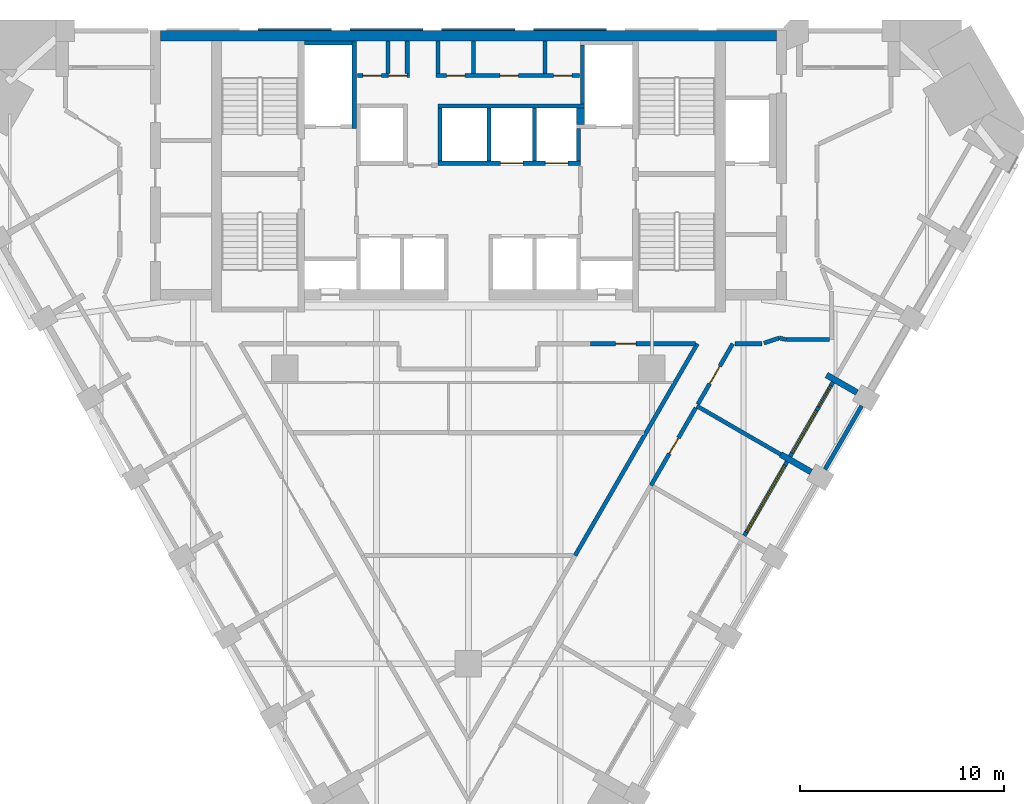
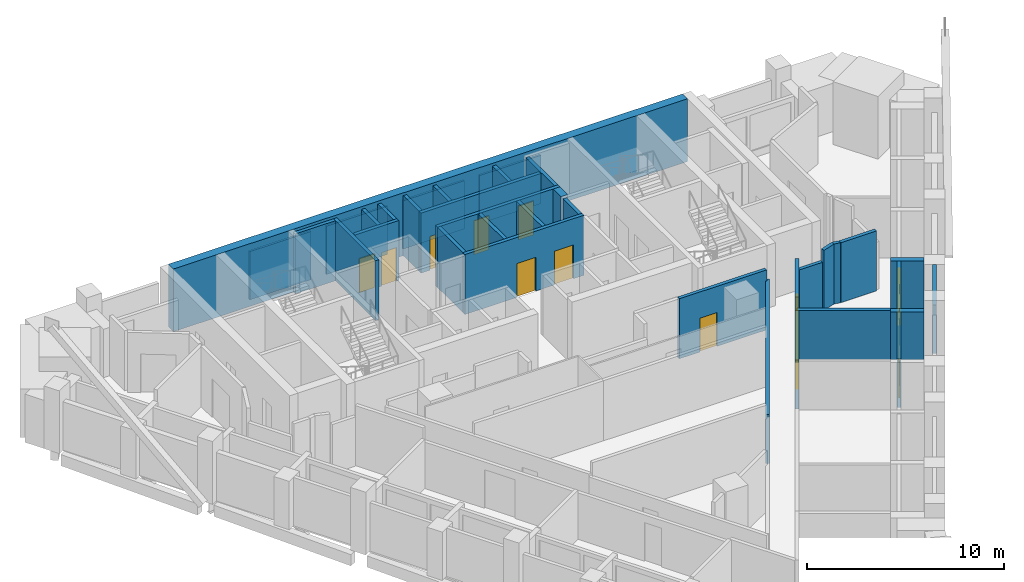
# One storey, part 6 of 9: 36 walls, 11 doors, 2 windows, 13 openings.
"""IFC4 building model written with IfcOpenShell, lengths in metres."""

from ifc_helpers import new_model, si_unit, direction, frame, frame_2d, origin, place, context, subcontext, project, spatial, polyline, rectangle, outline, extrude, material, layer, layer_set, type_object, element, fill, save


model = new_model("IFC4")

# Units and contexts
model_context = context("Model", 3, precision=1e-05, world=origin(), true_north=direction((0.0, 1.0)))
body_context = subcontext(model_context, "Body", "Model", "MODEL_VIEW")
ifc_project = project(units=[si_unit("LENGTHUNIT", "METRE"), si_unit("AREAUNIT", "SQUARE_METRE"), si_unit("VOLUMEUNIT", "CUBIC_METRE"), si_unit("PLANEANGLEUNIT", "RADIAN"), si_unit("MASSUNIT", "GRAM", prefix="KILO")], contexts=[model_context])

# Site, building, storey
site_placement = place(None, origin())
site = spatial("IfcSite", under=ifc_project, at=site_placement, CompositionType="ELEMENT")
building_placement = place(site_placement, origin())
building = spatial("IfcBuilding", under=site, at=building_placement, Name="Calabash Gate Tower", CompositionType="ELEMENT")
storey_placement = place(building_placement, frame((0.0, 0.0, 168.0)))
storey = spatial("IfcBuildingStorey", under=building, at=storey_placement, Name="L39", CompositionType="ELEMENT", Elevation=168.0)

# Walls
ifc_material_1 = material(Name="Terracotta brick masonry, exposed face", Category="masonry")
ifc_layer_1 = layer(ifc_material_1, 0.300048828125)
ifc_layer_set_1 = layer_set([ifc_layer_1], Name="Brick loggia cheek wall 300")
wall_type_1 = type_object("IfcWallType", Name="Brick loggia cheek wall 300", PredefinedType="SOLIDWALL", material=ifc_layer_set_1)
wall_1_placement = place(storey_placement, frame((16.807373046875, -2.59228515625, 0.0), z_axis=(0.0, 0.0, 1.0), x_axis=(-0.865994550583, 0.500053435504, 0.0)))
element("IfcWall", 1, at=wall_1_placement, inside=storey, type_object=wall_type_1, Name="Loggia cheek S11 SE4.4", PredefinedType="SOLIDWALL", context=body_context, shape_type="SweptSolid", body=[
    extrude(rectangle(XDim=1.723876953125, YDim=0.300048828125, at=frame_2d((0.86181640625, 0.0))), origin(), (0.0, 0.0, 1.0), 3.0),
])
wall_2_placement = place(storey_placement, frame((19.058349609375, 1.30419921875, 0.0), z_axis=(0.0, 0.0, 1.0), x_axis=(-0.866013532718, 0.500020560727, 0.0)))
element("IfcWall", 2, at=wall_2_placement, inside=storey, type_object=wall_type_1, Name="Loggia cheek S11 SE4.5", PredefinedType="SOLIDWALL", context=body_context, shape_type="SweptSolid", body=[
    extrude(rectangle(XDim=1.72509765625, YDim=0.300048828125, at=frame_2d((0.862548828125, 0.0))), origin(), (0.0, 0.0, 1.0), 3.0),
])
ifc_material_2 = material(Name="Gypsum board on steel studs, mineral wool", Category="steel")
ifc_layer_2 = layer(ifc_material_2, 0.199951171875)
ifc_layer_set_2 = layer_set([ifc_layer_2], Name="Core partition 200 gypsum board")
wall_type_2 = type_object("IfcWallType", Name="Core partition 200 gypsum board", PredefinedType="PARTITIONING", material=ifc_layer_set_2)
for number, where, z_axis, x_axis, name in (
    (3, (-3.949951171875, 16.95263671875, 0.0), (0.0, 0.0, 1.0), (0.0, 1.0, 0.0), "Core partition"),
    (4, (-3.0, 16.95263671875, 0.0), (0.0, 0.0, 1.0), (0.0, 1.0, 0.0), "Core partition"),
    (5, (-1.5, 16.95263671875, 0.0), (0.0, 0.0, 1.0), (0.0, 1.0, 0.0), "Core partition"),
    (6, (0.25, 16.95263671875, 0.0), (0.0, 0.0, 1.0), (0.0, 1.0, 0.0), "Core partition"),
    (7, (3.75, 16.95263671875, 0.0), (0.0, 0.0, 1.0), (0.0, 1.0, 0.0), "Core partition"),
):
    element("IfcWall", number, at=place(storey_placement, frame(where, z_axis=z_axis, x_axis=x_axis)), inside=storey, type_object=wall_type_2, Name=name, PredefinedType="PARTITIONING", context=body_context, shape_type="SweptSolid", body=[
        extrude(rectangle(XDim=1.599853515625, YDim=0.199951171875, at=frame_2d((0.7998046875, 0.0))), origin(), (0.0, 0.0, 1.0), 3.72998046875),
    ])
ifc_material_3 = material(Name="Concrete C70/85", Category="concrete")
ifc_layer_3 = layer(ifc_material_3, 0.5)
ifc_layer_set_3 = layer_set([ifc_layer_3], Name="Core wall 500 Concrete C70/85")
wall_type_3 = type_object("IfcWallType", Name="Core wall 500 Concrete C70/85", PredefinedType="SHEAR", material=ifc_layer_set_3)
wall_3_placement = place(storey_placement, frame((-15.10009765625, 18.802490234375, 0.0), z_axis=(0.0, 0.0, 1.0), x_axis=(1.0, 0.0, 0.0)))
element("IfcWall", 8, at=wall_3_placement, inside=storey, type_object=wall_type_3, Name="Core wall Z3-N L39", PredefinedType="SHEAR", context=body_context, shape_type="SweptSolid", body=[
    extrude(rectangle(XDim=30.2001953125, YDim=0.5, at=frame_2d((15.10009765625, 0.0))), origin(), (0.0, 0.0, 1.0), 3.89990234375),
])
ifc_material_4 = material(Name="Gypsum board on steel studs, mineral wool", Category="steel")
ifc_layer_4 = layer(ifc_material_4, 0.199951171875)
ifc_layer_set_4 = layer_set([ifc_layer_4], Name="Partition 200 gypsum board EI 60")
wall_type_4 = type_object("IfcWallType", Name="Partition 200 gypsum board EI 60", PredefinedType="PARTITIONING", material=ifc_layer_set_4)
wall_4_placement = place(storey_placement, frame((5.232666015625, -6.6884765625, 0.0), z_axis=(0.0, 0.0, 1.0), x_axis=(0.499991401208, 0.866030368243, 0.0)))
element("IfcWall", 9, at=wall_4_placement, inside=storey, type_object=wall_type_4, Name="Partition", PredefinedType="PARTITIONING", context=body_context, shape_type="SweptSolid", body=[
    extrude(rectangle(XDim=11.996337890625, YDim=0.199951171875, at=frame_2d((5.998046875, 0.0))), origin(), (0.0, 0.0, 1.0), 3.052001953125),
])

# Wall, opening, door
wall_5_placement = place(storey_placement, frame((8.95361328125, -3.251708984375, 0.0), z_axis=(0.0, 0.0, 1.0), x_axis=(0.499989943423, 0.866031209874, 0.0)))
wall_5 = element("IfcWall", 10, at=wall_5_placement, inside=storey, type_object=wall_type_4, Name="Partition", PredefinedType="PARTITIONING", context=body_context, shape_type="SweptSolid", body=[
    extrude(rectangle(XDim=4.39794921875, YDim=0.199951171875, at=frame_2d((2.198974609375, 0.0))), origin(), (0.0, 0.0, 1.0), 3.052001953125),
])
opening_1_placement = place(wall_5_placement, frame((1.798095703125, 0.0, 0.0)))
opening_1 = element("IfcOpeningElement", 11, at=opening_1_placement, cuts=wall_5, Name="Opening 39-41-005", PredefinedType="OPENING", context=body_context, shape_type="SweptSolid", body=[
    extrude(rectangle(XDim=0.89990234375, YDim=2.10009765625, at=frame_2d((0.449951171875, 1.050048828125))), frame((0.0, 0.10986328125, 0.0), z_axis=(0.0, -1.0, 0.0), x_axis=(1.0, 0.0, 0.0)), (0.0, 0.0, 1.0), 0.219970703125),
])
ifc_material_5 = material(Name="Steel fire door set with fire-resisting glazing", Category="steel")
door_type_1 = type_object("IfcDoorType", Name="SD3 Store door 900x2100", OperationType="NOTDEFINED", PredefinedType="DOOR", material=ifc_material_5)
door_1_placement = place(opening_1_placement, origin())
door_1 = element("IfcDoor", 12, at=door_1_placement, inside=storey, type_object=door_type_1, Name="Store door", OperationType="SINGLE_SWING_LEFT", OverallHeight=2.10009765625, OverallWidth=0.89990234375, PredefinedType="DOOR", context=body_context, shape_type="SweptSolid", body=[
    extrude(rectangle(XDim=0.89990234375, YDim=2.10009765625, at=frame_2d((0.449951171875, 1.050048828125))), frame((0.0, 0.02490234375, 0.0), z_axis=(0.0, -1.0, 0.0), x_axis=(1.0, 0.0, 0.0)), (0.0, 0.0, 1.0), 0.050048828125),
])
fill(opening_1, door_1)

# Wall
wall_6_placement = place(storey_placement, frame((11.2021484375, 0.646240234375, 0.0), z_axis=(0.0, 0.0, 1.0), x_axis=(0.865857651242, -0.500290443428, 0.0)))
element("IfcWall", 13, at=wall_6_placement, inside=storey, type_object=wall_type_4, Name="Partition", PredefinedType="PARTITIONING", context=body_context, shape_type="SweptSolid", body=[
    extrude(rectangle(XDim=4.749755859375, YDim=0.199951171875, at=frame_2d((2.375, 0.0))), origin(), (0.0, 0.0, 1.0), 3.052001953125),
])

# Wall, opening, door
wall_7_placement = place(storey_placement, frame((5.99365234375, 3.699951171875, 0.0), z_axis=(0.0, 0.0, 1.0), x_axis=(0.999999998871, -4.7510452e-05, 0.0)))
wall_7 = element("IfcWall", 14, at=wall_7_placement, inside=storey, type_object=wall_type_4, Name="Partition", PredefinedType="PARTITIONING", context=body_context, shape_type="SweptSolid", body=[
    extrude(rectangle(XDim=5.138671875, YDim=0.199951171875, at=frame_2d((2.5693359375, 0.0))), origin(), (0.0, 0.0, 1.0), 3.72998046875),
])
opening_2_placement = place(wall_7_placement, frame((1.222412109375, 0.0, 0.0)))
opening_2 = element("IfcOpeningElement", 15, at=opening_2_placement, cuts=wall_7, Name="Opening 39-41-014", PredefinedType="OPENING", context=body_context, shape_type="SweptSolid", body=[
    extrude(rectangle(XDim=1.0, YDim=2.10009765625, at=frame_2d((0.5, 1.050048828125))), frame((0.0, 0.10986328125, 0.0), z_axis=(0.0, -1.0, 0.0), x_axis=(1.0, 0.0, 0.0)), (0.0, 0.0, 1.0), 0.219970703125),
])
ifc_material_6 = material(Name="Steel fire door set with fire-resisting glazing", Category="steel")
door_type_2 = type_object("IfcDoorType", Name="WD3 WC lobby door 1000x2100", OperationType="NOTDEFINED", PredefinedType="DOOR", material=ifc_material_6)
door_2_placement = place(opening_2_placement, origin())
door_2 = element("IfcDoor", 16, at=door_2_placement, inside=storey, type_object=door_type_2, Name="WC lobby door", OperationType="SINGLE_SWING_RIGHT", OverallHeight=2.10009765625, OverallWidth=1.0, PredefinedType="DOOR", context=body_context, shape_type="SweptSolid", body=[
    extrude(rectangle(XDim=1.0, YDim=2.10009765625, at=frame_2d((0.5, 1.050048828125))), frame((0.0, 0.02490234375, 0.0), z_axis=(0.0, -1.0, 0.0), x_axis=(1.0, 0.0, 0.0)), (0.0, 0.0, 1.0), 0.050048828125),
])
fill(opening_2, door_2)

wall_8_placement = place(storey_placement, frame((11.252685546875, 0.730712890625, 0.0), z_axis=(0.0, 0.0, 1.0), x_axis=(0.499648448578, 0.866228276976, 0.0)))
wall_8 = element("IfcWall", 17, at=wall_8_placement, inside=storey, type_object=wall_type_4, Name="Partition", PredefinedType="PARTITIONING", context=body_context, shape_type="SweptSolid", body=[
    extrude(rectangle(XDim=3.42724609375, YDim=0.199951171875, at=frame_2d((1.713623046875, 0.0))), origin(), (0.0, 0.0, 1.0), 3.72998046875),
])
opening_3_placement = place(wall_8_placement, frame((1.163818359375, 0.0, 0.0)))
opening_3 = element("IfcOpeningElement", 18, at=opening_3_placement, cuts=wall_8, Name="Opening 39-41-012", PredefinedType="OPENING", context=body_context, shape_type="SweptSolid", body=[
    extrude(rectangle(XDim=1.0, YDim=2.39990234375, at=frame_2d((0.5, 1.199951171875))), frame((0.0, 0.10986328125, 0.0), z_axis=(0.0, -1.0, 0.0), x_axis=(1.0, 0.0, 0.0)), (0.0, 0.0, 1.0), 0.219970703125),
])
ifc_material_7 = material(Name="Painted timber door", Category="wood")
door_type_3 = type_object("IfcDoorType", Name="OD2 Glazed office door 1000x2400", OperationType="NOTDEFINED", PredefinedType="DOOR", material=ifc_material_7)
door_3_placement = place(opening_3_placement, origin())
door_3 = element("IfcDoor", 19, at=door_3_placement, inside=storey, type_object=door_type_3, Name="Glazed office door", OperationType="SINGLE_SWING_RIGHT", OverallHeight=2.39990234375, OverallWidth=1.0, PredefinedType="DOOR", context=body_context, shape_type="SweptSolid", body=[
    extrude(rectangle(XDim=1.0, YDim=2.39990234375, at=frame_2d((0.5, 1.199951171875))), frame((0.0, 0.02490234375, 0.0), z_axis=(0.0, -1.0, 0.0), x_axis=(1.0, 0.0, 0.0)), (0.0, 0.0, 1.0), 0.050048828125),
])
fill(opening_3, door_3)

# Walls
wall_9_placement = place(storey_placement, frame((13.065185546875, 3.699462890625, 0.0), z_axis=(0.0, 0.0, 1.0), x_axis=(1.0, 0.0, 0.0)))
element("IfcWall", 20, at=wall_9_placement, inside=storey, type_object=wall_type_4, Name="Partition", PredefinedType="PARTITIONING", context=body_context, shape_type="SweptSolid", body=[
    extrude(rectangle(XDim=1.3349609375, YDim=0.199951171875, at=frame_2d((0.66748046875, 0.0))), origin(), (0.0, 0.0, 1.0), 3.052001953125),
])
wall_10_placement = place(storey_placement, frame((15.24560546875, 3.9814453125, 0.0), z_axis=(0.0, 0.0, 1.0), x_axis=(0.974255315496, -0.225447511024, 0.0)))
element("IfcWall", 21, at=wall_10_placement, inside=storey, type_object=wall_type_4, Name="Partition", PredefinedType="PARTITIONING", context=body_context, shape_type="SweptSolid", body=[
    extrude(rectangle(XDim=0.36376953125, YDim=0.199951171875, at=frame_2d((0.181884765625, 0.0))), origin(), (0.0, 0.0, 1.0), 3.72998046875),
])
wall_11_placement = place(storey_placement, frame((15.60009765625, 3.8994140625, 0.0), z_axis=(0.0, 0.0, 1.0), x_axis=(0.999999993243, 0.000116252034, 0.0)))
element("IfcWall", 22, at=wall_11_placement, inside=storey, type_object=wall_type_4, Name="Partition", PredefinedType="PARTITIONING", context=body_context, shape_type="SweptSolid", body=[
    extrude(rectangle(XDim=2.10009765625, YDim=0.199951171875, at=frame_2d((1.050048828125, 0.0))), origin(), (0.0, 0.0, 1.0), 3.72998046875),
])
wall_12_placement = place(storey_placement, frame((14.494873046875, 3.731201171875, 0.0), z_axis=(0.0, 0.0, 1.0), x_axis=(0.948683298051, 0.316227766017, 0.0)))
element("IfcWall", 23, at=wall_12_placement, inside=storey, type_object=wall_type_4, Name="Partition", PredefinedType="PARTITIONING", context=body_context, shape_type="SweptSolid", body=[
    extrude(rectangle(XDim=0.791259765625, YDim=0.199951171875, at=frame_2d((0.3955078125, 0.0))), origin(), (0.0, 0.0, 1.0), 3.72998046875),
])

# Wall, openings, doors
ifc_material_8 = material(Name="Concrete C40/50", Category="concrete")
ifc_layer_5 = layer(ifc_material_8, 0.199951171875)
ifc_layer_set_5 = layer_set([ifc_layer_5], Name="Shaft wall 200 Concrete C40/50")
wall_type_5 = type_object("IfcWallType", Name="Shaft wall 200 Concrete C40/50", PredefinedType="SOLIDWALL", material=ifc_layer_set_5)
wall_13_placement = place(storey_placement, frame((-1.5, 12.552490234375, 0.0), z_axis=(0.0, 0.0, 1.0), x_axis=(1.0, 0.0, 0.0)))
wall_13 = element("IfcWall", 24, at=wall_13_placement, inside=storey, type_object=wall_type_5, Name="Shaft wall", PredefinedType="SOLIDWALL", context=body_context, shape_type="SweptSolid", body=[
    extrude(rectangle(XDim=7.0, YDim=0.199951171875, at=frame_2d((3.5, 0.0))), origin(), (0.0, 0.0, 1.0), 3.72998046875),
])
opening_4_placement = place(wall_13_placement, frame((3.074951171875, 0.0, 0.0)))
opening_4 = element("IfcOpeningElement", 25, at=opening_4_placement, cuts=wall_13, Name="Opening LD-HR5", PredefinedType="OPENING", context=body_context, shape_type="SweptSolid", body=[
    extrude(rectangle(XDim=1.10009765625, YDim=2.10009765625, at=frame_2d((0.550048828125, 1.050048828125))), frame((0.0, 0.10986328125, 0.0), z_axis=(0.0, -1.0, 0.0), x_axis=(1.0, 0.0, 0.0)), (0.0, 0.0, 1.0), 0.219970703125),
])
opening_5_placement = place(wall_13_placement, frame((5.27490234375, 0.0, 0.0)))
opening_5 = element("IfcOpeningElement", 26, at=opening_5_placement, cuts=wall_13, Name="Opening LD-HR6", PredefinedType="OPENING", context=body_context, shape_type="SweptSolid", body=[
    extrude(rectangle(XDim=1.10009765625, YDim=2.10009765625, at=frame_2d((0.550048828125, 1.050048828125))), frame((0.0, 0.10986328125, 0.0), z_axis=(0.0, -1.0, 0.0), x_axis=(1.0, 0.0, 0.0)), (0.0, 0.0, 1.0), 0.219970703125),
])
ifc_material_9 = material(Name="Stainless steel sliding door leaves", Category="steel")
door_type_4 = type_object("IfcDoorType", Name="Lift landing door LS1 1100x2100 FD90", OperationType="DOUBLE_DOOR_SLIDING", PredefinedType="DOOR", material=ifc_material_9)
door_4_placement = place(opening_4_placement, origin())
door_4 = element("IfcDoor", 27, at=door_4_placement, inside=storey, type_object=door_type_4, Name="Lift landing door HR5", OperationType="DOUBLE_DOOR_SLIDING", OverallHeight=2.10009765625, OverallWidth=1.10009765625, PredefinedType="DOOR", context=body_context, shape_type="SweptSolid", body=[
    extrude(rectangle(XDim=1.10009765625, YDim=2.10009765625, at=frame_2d((0.550048828125, 1.050048828125))), frame((0.0, 0.02490234375, 0.0), z_axis=(0.0, -1.0, 0.0), x_axis=(1.0, 0.0, 0.0)), (0.0, 0.0, 1.0), 0.050048828125),
])
fill(opening_4, door_4)
door_5_placement = place(opening_5_placement, origin())
door_5 = element("IfcDoor", 28, at=door_5_placement, inside=storey, type_object=door_type_4, Name="Lift landing door HR6", OperationType="DOUBLE_DOOR_SLIDING", OverallHeight=2.10009765625, OverallWidth=1.10009765625, PredefinedType="DOOR", context=body_context, shape_type="SweptSolid", body=[
    extrude(rectangle(XDim=1.10009765625, YDim=2.10009765625, at=frame_2d((0.550048828125, 1.050048828125))), frame((0.0, 0.02490234375, 0.0), z_axis=(0.0, -1.0, 0.0), x_axis=(1.0, 0.0, 0.0)), (0.0, 0.0, 1.0), 0.050048828125),
])
fill(opening_5, door_5)

# Walls
for number, where, z_axis, x_axis, name in (
    (29, (-1.39990234375, 12.652587890625, 0.0), (0.0, 0.0, 1.0), (0.0, 1.0, 0.0), "Shaft wall"),
    (30, (1.0, 12.652587890625, 0.0), (0.0, 0.0, 1.0), (0.0, 1.0, 0.0), "Shaft wall"),
    (31, (3.25, 12.652587890625, 0.0), (0.0, 0.0, 1.0), (0.0, 1.0, 0.0), "Shaft wall"),
):
    element("IfcWall", number, at=place(storey_placement, frame(where, z_axis=z_axis, x_axis=x_axis)), inside=storey, type_object=wall_type_5, Name=name, PredefinedType="SOLIDWALL", context=body_context, shape_type="SweptSolid", body=[
        extrude(rectangle(XDim=2.60009765625, YDim=0.199951171875, at=frame_2d((1.300048828125, 0.0))), origin(), (0.0, 0.0, 1.0), 3.72998046875),
    ])
wall_14_placement = place(storey_placement, frame((5.39990234375, 12.652587890625, 0.0), z_axis=(0.0, 0.0, 1.0), x_axis=(0.0, 1.0, 0.0)))
element("IfcWall", 32, at=wall_14_placement, inside=storey, type_object=wall_type_5, Name="Shaft wall", PredefinedType="SOLIDWALL", context=body_context, shape_type="SweptSolid", body=[
    extrude(rectangle(XDim=1.60009765625, YDim=0.199951171875, at=frame_2d((0.800048828125, 0.0))), origin(), (0.0, 0.0, 1.0), 3.72998046875),
])
wall_15_placement = place(storey_placement, frame((-5.60009765625, 14.252685546875, 0.0), z_axis=(0.0, 0.0, 1.0), x_axis=(0.0, 1.0, 0.0)))
element("IfcWall", 33, at=wall_15_placement, inside=storey, type_object=wall_type_5, Name="Shaft wall", PredefinedType="SOLIDWALL", context=body_context, shape_type="SweptSolid", body=[
    extrude(rectangle(XDim=4.2998046875, YDim=0.199951171875, at=frame_2d((2.14990234375, 0.0))), origin(), (0.0, 0.0, 1.0), 3.72998046875),
])
wall_16_placement = place(storey_placement, frame((5.5, 14.45263671875, 0.0), z_axis=(0.0, 0.0, 1.0), x_axis=(0.0, 1.0, 0.0)))
element("IfcWall", 34, at=wall_16_placement, inside=storey, type_object=wall_type_5, Name="Shaft wall", PredefinedType="SOLIDWALL", context=body_context, shape_type="SweptSolid", body=[
    extrude(rectangle(XDim=0.800048828125, YDim=0.39990234375, at=frame_2d((0.39990234375, 0.0))), origin(), (0.0, 0.0, 1.0), 3.72998046875),
])
wall_17_placement = place(storey_placement, frame((-1.5, 15.3525390625, 0.0), z_axis=(0.0, 0.0, 1.0), x_axis=(1.0, 0.0, 0.0)))
element("IfcWall", 35, at=wall_17_placement, inside=storey, type_object=wall_type_5, Name="Shaft wall", PredefinedType="SOLIDWALL", context=body_context, shape_type="SweptSolid", body=[
    extrude(rectangle(XDim=7.199951171875, YDim=0.199951171875, at=frame_2d((3.60009765625, 0.0))), origin(), (0.0, 0.0, 1.0), 3.72998046875),
])
wall_18_placement = place(storey_placement, frame((5.60009765625, 15.45263671875, 0.0), z_axis=(0.0, 0.0, 1.0), x_axis=(0.0, 1.0, 0.0)))
element("IfcWall", 36, at=wall_18_placement, inside=storey, type_object=wall_type_5, Name="Shaft wall", PredefinedType="SOLIDWALL", context=body_context, shape_type="SweptSolid", body=[
    extrude(rectangle(XDim=2.89990234375, YDim=0.199951171875, at=frame_2d((1.449951171875, 0.0))), origin(), (0.0, 0.0, 1.0), 3.72998046875),
])

# Wall, openings, doors
wall_19_placement = place(storey_placement, frame((-5.449951171875, 16.8525390625, 0.0), z_axis=(0.0, 0.0, 1.0), x_axis=(1.0, 0.0, 0.0)))
wall_19 = element("IfcWall", 37, at=wall_19_placement, inside=storey, type_object=wall_type_5, Name="Shaft wall", PredefinedType="SOLIDWALL", context=body_context, shape_type="SweptSolid", body=[
    extrude(rectangle(XDim=2.550048828125, YDim=0.199951171875, at=frame_2d((1.27490234375, 0.0))), origin(), (0.0, 0.0, 1.0), 3.72998046875),
])
opening_6_placement = place(wall_19_placement, frame((0.27490234375, 0.0, 0.0)))
opening_6 = element("IfcOpeningElement", 38, at=opening_6_placement, cuts=wall_19, Name="Opening O3-010", PredefinedType="OPENING", context=body_context, shape_type="SweptSolid", body=[
    extrude(rectangle(XDim=0.89990234375, YDim=2.10009765625, at=frame_2d((0.449951171875, 1.050048828125))), frame((0.0, 0.10986328125, 0.0), z_axis=(0.0, -1.0, 0.0), x_axis=(1.0, 0.0, 0.0)), (0.0, 0.0, 1.0), 0.219970703125),
])
opening_7_placement = place(wall_19_placement, frame((1.52490234375, 0.0, 0.0)))
opening_7 = element("IfcOpeningElement", 39, at=opening_7_placement, cuts=wall_19, Name="Opening O3-011", PredefinedType="OPENING", context=body_context, shape_type="SweptSolid", body=[
    extrude(rectangle(XDim=0.89990234375, YDim=2.10009765625, at=frame_2d((0.449951171875, 1.050048828125))), frame((0.0, 0.10986328125, 0.0), z_axis=(0.0, -1.0, 0.0), x_axis=(1.0, 0.0, 0.0)), (0.0, 0.0, 1.0), 0.219970703125),
])
ifc_material_10 = material(Name="Steel fire door set with fire-resisting glazing", Category="steel")
door_type_5 = type_object("IfcDoorType", Name="Fire door D06 900x2100 FD60", OperationType="NOTDEFINED", PredefinedType="DOOR", material=ifc_material_10)
door_6_placement = place(opening_6_placement, origin())
door_6 = element("IfcDoor", 40, at=door_6_placement, inside=storey, type_object=door_type_5, Name="Accessible WC door", OperationType="SINGLE_SWING_LEFT", OverallHeight=2.10009765625, OverallWidth=0.89990234375, PredefinedType="DOOR", context=body_context, shape_type="SweptSolid", body=[
    extrude(rectangle(XDim=0.89990234375, YDim=2.10009765625, at=frame_2d((0.449951171875, 1.050048828125))), frame((0.0, 0.02490234375, 0.0), z_axis=(0.0, -1.0, 0.0), x_axis=(1.0, 0.0, 0.0)), (0.0, 0.0, 1.0), 0.050048828125),
])
fill(opening_6, door_6)
door_7_placement = place(opening_7_placement, origin())
door_7 = element("IfcDoor", 41, at=door_7_placement, inside=storey, type_object=door_type_5, Name="Print Room door", OperationType="SINGLE_SWING_LEFT", OverallHeight=2.10009765625, OverallWidth=0.89990234375, PredefinedType="DOOR", context=body_context, shape_type="SweptSolid", body=[
    extrude(rectangle(XDim=0.89990234375, YDim=2.10009765625, at=frame_2d((0.449951171875, 1.050048828125))), frame((0.0, 0.02490234375, 0.0), z_axis=(0.0, -1.0, 0.0), x_axis=(1.0, 0.0, 0.0)), (0.0, 0.0, 1.0), 0.050048828125),
])
fill(opening_7, door_7)

wall_20_placement = place(storey_placement, frame((-1.60009765625, 16.8525390625, 0.0), z_axis=(0.0, 0.0, 1.0), x_axis=(1.0, 0.0, 0.0)))
wall_20 = element("IfcWall", 42, at=wall_20_placement, inside=storey, type_object=wall_type_5, Name="Shaft wall", PredefinedType="SOLIDWALL", context=body_context, shape_type="SweptSolid", body=[
    extrude(rectangle(XDim=7.050048828125, YDim=0.199951171875, at=frame_2d((3.52490234375, 0.0))), origin(), (0.0, 0.0, 1.0), 3.72998046875),
])
opening_8_placement = place(wall_20_placement, frame((0.52490234375, 0.0, 0.0)))
opening_8 = element("IfcOpeningElement", 43, at=opening_8_placement, cuts=wall_20, Name="Opening O3-012", PredefinedType="OPENING", context=body_context, shape_type="SweptSolid", body=[
    extrude(rectangle(XDim=0.89990234375, YDim=2.10009765625, at=frame_2d((0.449951171875, 1.050048828125))), frame((0.0, 0.10986328125, 0.0), z_axis=(0.0, -1.0, 0.0), x_axis=(1.0, 0.0, 0.0)), (0.0, 0.0, 1.0), 0.219970703125),
])
opening_9_placement = place(wall_20_placement, frame((3.14990234375, 0.0, 0.0)))
opening_9 = element("IfcOpeningElement", 44, at=opening_9_placement, cuts=wall_20, Name="Opening O3-013", PredefinedType="OPENING", context=body_context, shape_type="SweptSolid", body=[
    extrude(rectangle(XDim=0.89990234375, YDim=2.10009765625, at=frame_2d((0.449951171875, 1.050048828125))), frame((0.0, 0.10986328125, 0.0), z_axis=(0.0, -1.0, 0.0), x_axis=(1.0, 0.0, 0.0)), (0.0, 0.0, 1.0), 0.219970703125),
])
opening_10_placement = place(wall_20_placement, frame((5.77490234375, 0.0, 0.0)))
opening_10 = element("IfcOpeningElement", 45, at=opening_10_placement, cuts=wall_20, Name="Opening O3-014", PredefinedType="OPENING", context=body_context, shape_type="SweptSolid", body=[
    extrude(rectangle(XDim=0.89990234375, YDim=2.10009765625, at=frame_2d((0.449951171875, 1.050048828125))), frame((0.0, 0.10986328125, 0.0), z_axis=(0.0, -1.0, 0.0), x_axis=(1.0, 0.0, 0.0)), (0.0, 0.0, 1.0), 0.219970703125),
])
door_8_placement = place(opening_8_placement, origin())
door_8 = element("IfcDoor", 46, at=door_8_placement, inside=storey, type_object=door_type_5, Name="Meter Room door", OperationType="SINGLE_SWING_LEFT", OverallHeight=2.10009765625, OverallWidth=0.89990234375, PredefinedType="DOOR", context=body_context, shape_type="SweptSolid", body=[
    extrude(rectangle(XDim=0.89990234375, YDim=2.10009765625, at=frame_2d((0.449951171875, 1.050048828125))), frame((0.0, 0.02490234375, 0.0), z_axis=(0.0, -1.0, 0.0), x_axis=(1.0, 0.0, 0.0)), (0.0, 0.0, 1.0), 0.050048828125),
])
fill(opening_8, door_8)
door_9_placement = place(opening_9_placement, origin())
door_9 = element("IfcDoor", 47, at=door_9_placement, inside=storey, type_object=door_type_5, Name="Cleaner's Store door", OperationType="SINGLE_SWING_LEFT", OverallHeight=2.10009765625, OverallWidth=0.89990234375, PredefinedType="DOOR", context=body_context, shape_type="SweptSolid", body=[
    extrude(rectangle(XDim=0.89990234375, YDim=2.10009765625, at=frame_2d((0.449951171875, 1.050048828125))), frame((0.0, 0.02490234375, 0.0), z_axis=(0.0, -1.0, 0.0), x_axis=(1.0, 0.0, 0.0)), (0.0, 0.0, 1.0), 0.050048828125),
])
fill(opening_9, door_9)
door_10_placement = place(opening_10_placement, origin())
door_10 = element("IfcDoor", 48, at=door_10_placement, inside=storey, type_object=door_type_5, Name="Tenant Pantry door", OperationType="SINGLE_SWING_RIGHT", OverallHeight=2.10009765625, OverallWidth=0.89990234375, PredefinedType="DOOR", context=body_context, shape_type="SweptSolid", body=[
    extrude(rectangle(XDim=0.89990234375, YDim=2.10009765625, at=frame_2d((0.449951171875, 1.050048828125))), frame((0.0, 0.02490234375, 0.0), z_axis=(0.0, -1.0, 0.0), x_axis=(1.0, 0.0, 0.0)), (0.0, 0.0, 1.0), 0.050048828125),
])
fill(opening_10, door_10)

# Walls
wall_21_placement = place(storey_placement, frame((-8.050048828125, 18.45263671875, 0.0), z_axis=(0.0, 0.0, 1.0), x_axis=(1.0, 0.0, 0.0)))
element("IfcWall", 49, at=wall_21_placement, inside=storey, type_object=wall_type_5, Name="Shaft wall", PredefinedType="SOLIDWALL", context=body_context, shape_type="SweptSolid", body=[
    extrude(rectangle(XDim=2.35009765625, YDim=0.199951171875, at=frame_2d((1.175048828125, 0.0))), origin(), (0.0, 0.0, 1.0), 3.72998046875),
])
ifc_material_11 = material(Name="Terracotta brick masonry, perforated", Category="masonry")
ifc_layer_6 = layer(ifc_material_11, 0.1201171875)
ifc_layer_set_6 = layer_set([ifc_layer_6], Name="Terracotta jaali cladding A 120")
wall_type_6 = type_object("IfcWallType", Name="Terracotta jaali cladding A 120", PredefinedType="SOLIDWALL", material=ifc_layer_set_6)
wall_22_placement = place(storey_placement, origin())
element("IfcWall", 50, at=wall_22_placement, inside=storey, type_object=wall_type_6, Name="Jaali cladding S11 N6.5", PredefinedType="SOLIDWALL", context=body_context, shape_type="SweptSolid", body=[
    extrude(outline(polyline([(-1.3203125, 19.172607421875), (-1.3203125, 19.052490234375), (2.279541015625, 19.052490234375), (2.279541015625, 19.172607421875), (-1.3203125, 19.172607421875)])), origin(), (0.0, 0.0, 1.0), 3.0),
])
wall_23_placement = place(storey_placement, origin())
element("IfcWall", 51, at=wall_23_placement, inside=storey, type_object=wall_type_6, Name="Jaali cladding S11 N6.7", PredefinedType="SOLIDWALL", context=body_context, shape_type="SweptSolid", body=[
    extrude(outline(polyline([(-10.3203125, 19.172607421875), (-10.3203125, 19.052490234375), (-6.720458984375, 19.052490234375), (-6.720458984375, 19.172607421875), (-10.3203125, 19.172607421875)])), origin(), (0.0, 0.0, 1.0), 3.0),
])
ifc_material_12 = material(Name="Terracotta brick masonry, perforated", Category="masonry")
ifc_layer_7 = layer(ifc_material_12, 0.199951171875)
ifc_layer_set_7 = layer_set([ifc_layer_7], Name="Terracotta jaali screen A")
wall_type_7 = type_object("IfcWallType", Name="Terracotta jaali screen A", PredefinedType="SOLIDWALL", material=ifc_layer_set_7)
wall_24_placement = place(storey_placement, origin())
element("IfcWall", 52, at=wall_24_placement, inside=storey, type_object=wall_type_7, Name="SCREEN A S11 SE4.5", PredefinedType="SOLIDWALL", context=body_context, shape_type="SweptSolid", body=[
    extrude(outline(polyline([(19.201416015625, 0.7021484375), (17.40234375, -2.413818359375), (17.57568359375, -2.513916015625), (19.37451171875, 0.60205078125), (19.201416015625, 0.7021484375)])), origin(), (0.0, 0.0, 1.0), 3.0),
])
ifc_material_13 = material(Name="Terracotta louvre blades in an aluminium frame", Category="masonry")
ifc_layer_8 = layer(ifc_material_13, 0.1201171875)
ifc_layer_set_8 = layer_set([ifc_layer_8], Name="Terracotta vent louvre cladding 120")
wall_type_8 = type_object("IfcWallType", Name="Terracotta vent louvre cladding 120", PredefinedType="ELEMENTEDWALL", material=ifc_layer_set_8)
wall_25_placement = place(storey_placement, origin())
element("IfcWall", 53, at=wall_25_placement, inside=storey, type_object=wall_type_8, Name="Vent louvre cladding S11 N6.4", PredefinedType="ELEMENTEDWALL", context=body_context, shape_type="SweptSolid", body=[
    extrude(outline(polyline([(3.1796875, 19.172607421875), (3.1796875, 19.052490234375), (6.779541015625, 19.052490234375), (6.779541015625, 19.172607421875), (3.1796875, 19.172607421875)])), origin(), (0.0, 0.0, 1.0), 3.0),
])
wall_26_placement = place(storey_placement, origin())
element("IfcWall", 54, at=wall_26_placement, inside=storey, type_object=wall_type_8, Name="Vent louvre cladding S11 N6.6", PredefinedType="ELEMENTEDWALL", context=body_context, shape_type="SweptSolid", body=[
    extrude(outline(polyline([(-5.8203125, 19.172607421875), (-5.8203125, 19.052490234375), (-2.220458984375, 19.052490234375), (-2.220458984375, 19.172607421875), (-5.8203125, 19.172607421875)])), origin(), (0.0, 0.0, 1.0), 3.0),
])

# Wall, opening, window
ifc_material_14 = material(Name="Aluminium framed window wall with insulated spandrel", Category="aluminium")
ifc_layer_9 = layer(ifc_material_14, 0.199951171875)
ifc_layer_set_9 = layer_set([ifc_layer_9], Name="Window wall 200")
wall_type_9 = type_object("IfcWallType", Name="Window wall 200", PredefinedType="ELEMENTEDWALL", material=ifc_layer_set_9)
wall_27_placement = place(storey_placement, frame((13.529052734375, -5.722412109375, 0.0), z_axis=(0.0, 0.0, 1.0), x_axis=(0.500027713859, 0.866009402589, 0.0)))
wall_27 = element("IfcWall", 55, at=wall_27_placement, inside=storey, type_object=wall_type_9, Name="Window wall S11 SE4.4", PredefinedType="ELEMENTEDWALL", context=body_context, shape_type="SweptSolid", body=[
    extrude(rectangle(XDim=4.199951171875, YDim=0.199951171875, at=frame_2d((2.10009765625, 0.0))), origin(), (0.0, 0.0, 1.0), 3.0),
])
opening_11_placement = place(wall_27_placement, frame((0.199951171875, 0.0, 0.449951171875)))
opening_11 = element("IfcOpeningElement", 56, at=opening_11_placement, cuts=wall_27, Name="Opening OW2", PredefinedType="OPENING", context=body_context, shape_type="SweptSolid", body=[
    extrude(rectangle(XDim=3.800048828125, YDim=2.25, at=frame_2d((1.89990234375, 1.125))), frame((0.0, 0.10986328125, 0.0), z_axis=(0.0, -1.0, 0.0), x_axis=(1.0, 0.0, 0.0)), (0.0, 0.0, 1.0), 0.219970703125),
])
ifc_material_15 = material(Name="Anodised aluminium frame, bronze finish, impact-rated laminated clear glazing", Category="aluminium")
window_type_1 = type_object("IfcWindowType", Name="Window OW2 3800x2250", PartitioningType="TRIPLE_PANEL_VERTICAL", PredefinedType="WINDOW", material=ifc_material_15)
window_1_placement = place(opening_11_placement, origin())
window_1 = element("IfcWindow", 57, at=window_1_placement, inside=storey, type_object=window_type_1, Name="Window OW2 S11 SE4.4", OverallHeight=2.25, OverallWidth=3.800048828125, PartitioningType="SINGLE_PANEL", PredefinedType="WINDOW", context=body_context, shape_type="SweptSolid", body=[
    extrude(rectangle(XDim=3.800048828125, YDim=2.25, at=frame_2d((1.89990234375, 1.125))), frame((0.0, 0.030029296875, 0.0), z_axis=(0.0, -1.0, 0.0), x_axis=(1.0, 0.0, 0.0)), (0.0, 0.0, 1.0), 0.06005859375),
])
fill(opening_11, window_1)

# Wall, openings, door, window
wall_28_placement = place(storey_placement, frame((15.779052734375, -1.825439453125, 0.0), z_axis=(0.0, 0.0, 1.0), x_axis=(0.500002543286, 0.866023935413, 0.0)))
wall_28 = element("IfcWall", 58, at=wall_28_placement, inside=storey, type_object=wall_type_9, Name="Window wall S11 SE4.5", PredefinedType="ELEMENTEDWALL", context=body_context, shape_type="SweptSolid", body=[
    extrude(rectangle(XDim=4.2001953125, YDim=0.199951171875, at=frame_2d((2.10009765625, 0.0))), origin(), (0.0, 0.0, 1.0), 3.0),
])
opening_12_placement = place(wall_28_placement, frame((0.199951171875, 0.0, 0.449951171875)))
opening_12 = element("IfcOpeningElement", 59, at=opening_12_placement, cuts=wall_28, Name="Opening OW1", PredefinedType="OPENING", context=body_context, shape_type="SweptSolid", body=[
    extrude(rectangle(XDim=2.39990234375, YDim=2.25, at=frame_2d((1.199951171875, 1.125))), frame((0.0, 0.10986328125, 0.0), z_axis=(0.0, -1.0, 0.0), x_axis=(1.0, 0.0, 0.0)), (0.0, 0.0, 1.0), 0.219970703125),
])
opening_13_placement = place(wall_28_placement, frame((2.800048828125, 0.0, 0.0)))
opening_13 = element("IfcOpeningElement", 60, at=opening_13_placement, cuts=wall_28, Name="Opening O3-025", PredefinedType="OPENING", context=body_context, shape_type="SweptSolid", body=[
    extrude(rectangle(XDim=1.199951171875, YDim=2.699951171875, at=frame_2d((0.60009765625, 1.35009765625))), frame((0.0, 0.10986328125, 0.0), z_axis=(0.0, -1.0, 0.0), x_axis=(1.0, 0.0, 0.0)), (0.0, 0.0, 1.0), 0.219970703125),
])
ifc_material_16 = material(Name="Anodised aluminium frame, bronze finish, impact-rated laminated clear glazing", Category="aluminium")
door_type_6 = type_object("IfcDoorType", Name="Loggia door DO1 1200x2700", OperationType="SLIDING_TO_LEFT", PredefinedType="DOOR", material=ifc_material_16)
door_11_placement = place(opening_13_placement, origin())
door_11 = element("IfcDoor", 61, at=door_11_placement, inside=storey, type_object=door_type_6, Name="Loggia door S11 SE4.5", OperationType="SINGLE_SWING_LEFT", OverallHeight=2.699951171875, OverallWidth=1.199951171875, PredefinedType="DOOR", context=body_context, shape_type="SweptSolid", body=[
    extrude(rectangle(XDim=1.199951171875, YDim=2.699951171875, at=frame_2d((0.60009765625, 1.35009765625))), frame((0.0, 0.02490234375, 0.0), z_axis=(0.0, -1.0, 0.0), x_axis=(1.0, 0.0, 0.0)), (0.0, 0.0, 1.0), 0.050048828125),
])
fill(opening_13, door_11)
ifc_material_17 = material(Name="Anodised aluminium frame, bronze finish, impact-rated laminated clear glazing", Category="aluminium")
window_type_2 = type_object("IfcWindowType", Name="Window OW1 2400x2250", PartitioningType="DOUBLE_PANEL_VERTICAL", PredefinedType="WINDOW", material=ifc_material_17)
window_2_placement = place(opening_12_placement, origin())
window_2 = element("IfcWindow", 62, at=window_2_placement, inside=storey, type_object=window_type_2, Name="Window OW1 S11 SE4.5", OverallHeight=2.25, OverallWidth=2.39990234375, PartitioningType="SINGLE_PANEL", PredefinedType="WINDOW", context=body_context, shape_type="SweptSolid", body=[
    extrude(rectangle(XDim=2.39990234375, YDim=2.25, at=frame_2d((1.199951171875, 1.125))), frame((0.0, 0.030029296875, 0.0), z_axis=(0.0, -1.0, 0.0), x_axis=(1.0, 0.0, 0.0)), (0.0, 0.0, 1.0), 0.06005859375),
])
fill(opening_12, window_2)

save(model, "model.ifc")
